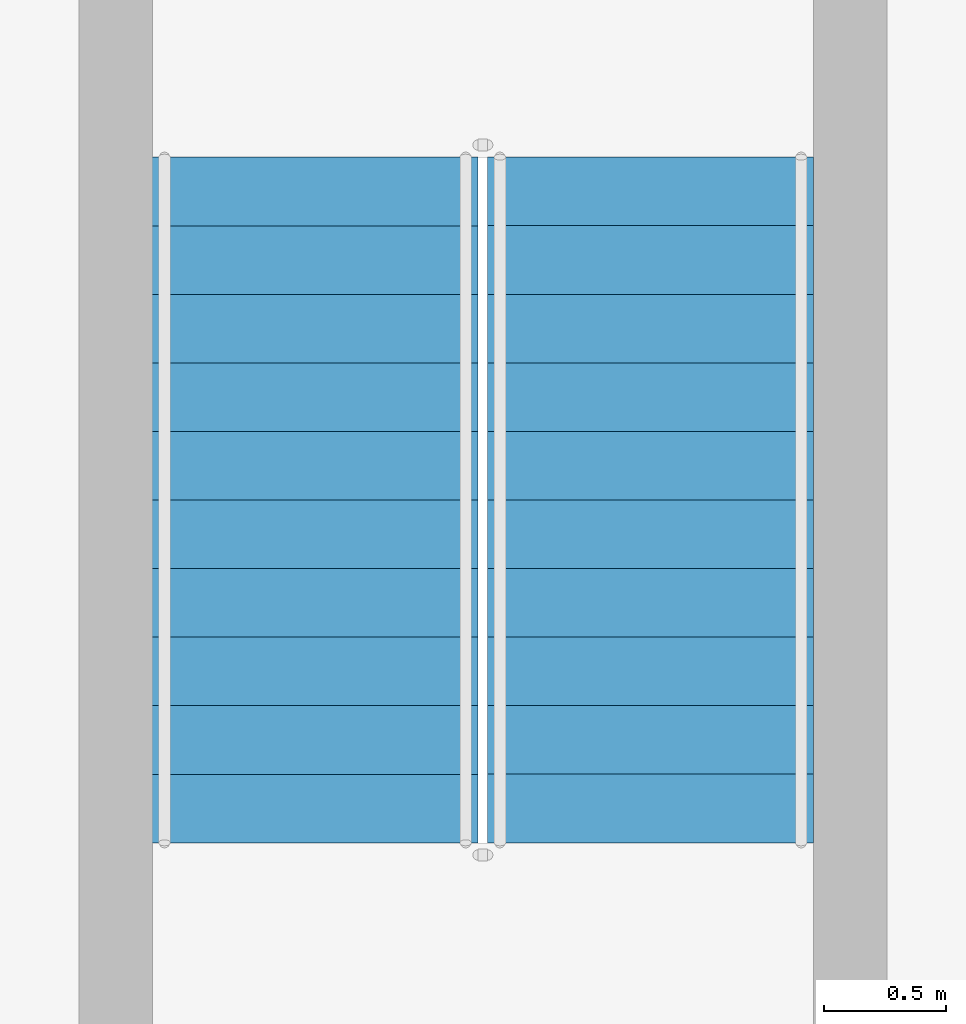
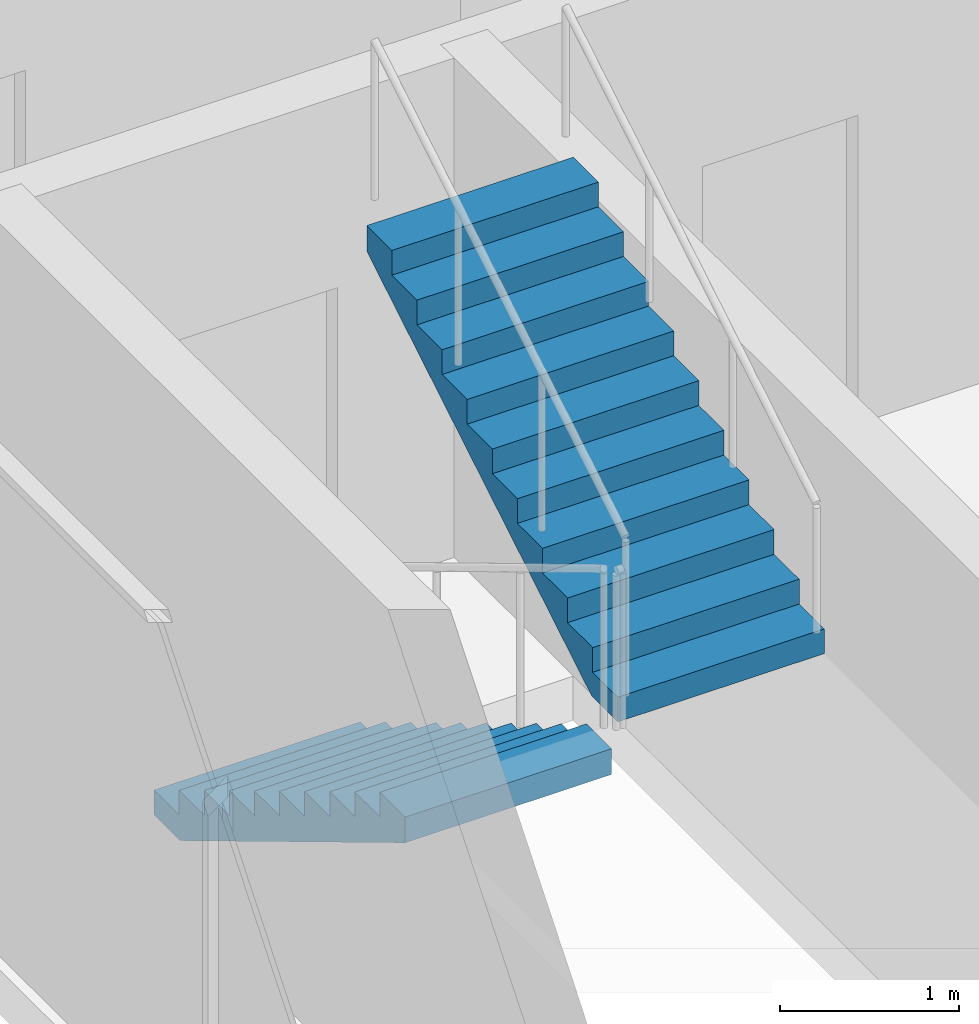
# One storey, part 15 of 23: 2 stair flights, 1 element without a shape of its own.
"""IFC4 building model written with IfcOpenShell, lengths in metres."""

from ifc_helpers import new_model, si_unit, direction, frame, origin, place, context, subcontext, project, spatial, triangles, source, transform, mapped, material, type_object, element, aggregate, save


model = new_model("IFC4")

# Units and contexts
model_context = context("Model", 3, precision=1e-05, world=origin(), true_north=direction((0.0, 1.0)))
body_context = subcontext(model_context, "Body", "Model", "MODEL_VIEW")
ifc_project = project(units=[si_unit("LENGTHUNIT", "METRE"), si_unit("AREAUNIT", "SQUARE_METRE"), si_unit("VOLUMEUNIT", "CUBIC_METRE"), si_unit("PLANEANGLEUNIT", "RADIAN"), si_unit("MASSUNIT", "GRAM", prefix="KILO")], contexts=[model_context])

# Site, building, storey
site_placement = place(None, origin())
site = spatial("IfcSite", under=ifc_project, at=site_placement, CompositionType="ELEMENT")
building_placement = place(site_placement, origin())
building = spatial("IfcBuilding", under=site, at=building_placement, Name="Ogive Portal Towers", CompositionType="ELEMENT")
storey_placement = place(building_placement, frame((0.0, 0.0, 149.60009765625)))
storey = spatial("IfcBuildingStorey", under=building, at=storey_placement, Name="L36", CompositionType="ELEMENT", Elevation=149.60009765625)

# Stair, stair flights
ifc_material = material(Name="Concrete C40/50", Category="concrete")
stair_type = type_object("IfcStairType", Name="INT-STAIR", PredefinedType="HALF_TURN_STAIR", material=ifc_material)
stair_placement = place(storey_placement, origin())
stair = element("IfcStair", 1, at=stair_placement, inside=storey, type_object=stair_type, Name="L36 Exit Stair ST-A4", PredefinedType="HALF_TURN_STAIR")
stair_flight_type = type_object("IfcStairFlightType", Name="INT-FLIGHT", PredefinedType="STRAIGHT", material=ifc_material)
shared_shape = source(origin(), body_context, "Body", "Tessellation", [
    triangles([(0.0, -0.6650390625, 0.0), (0.0, -0.384765625, 0.0), (0.0, -0.197021484375, 0.0), (0.0, -0.0830078125, 0.0), (0.0, -0.024658203125, 0.0), (0.0, -0.003173828125, 0.0), (0.0, 0.0, 0.0), (0.0, 0.003173828125, 0.0), (0.0, 0.024658203125, 0.0), (0.0, 0.0830078125, 0.0), (0.0, 0.197021484375, 0.0), (0.0, 0.384765625, 0.0), (0.0, 0.6650390625, 0.0), (0.0, -0.6650390625, 0.168212890625), (0.0, -0.384765625, 0.168212890625), (0.0, -0.197021484375, 0.168212890625), (0.0, -0.0830078125, 0.168212890625), (0.0, -0.024658203125, 0.168212890625), (0.0, -0.003173828125, 0.168212890625), (0.0, 0.0, 0.168212890625), (0.0, 0.003173828125, 0.168212890625), (0.0, 0.024658203125, 0.168212890625), (0.0, 0.0830078125, 0.168212890625), (0.0, 0.197021484375, 0.168212890625), (0.0, 0.384765625, 0.168212890625), (0.0, 0.6650390625, 0.168212890625), (0.280029296875, -0.6650390625, 0.168212890625), (0.280029296875, -0.384765625, 0.168212890625), (0.280029296875, -0.197021484375, 0.168212890625), (0.280029296875, -0.0830078125, 0.168212890625), (0.280029296875, -0.024658203125, 0.168212890625), (0.280029296875, -0.003173828125, 0.168212890625), (0.280029296875, 0.0, 0.168212890625), (0.280029296875, 0.003173828125, 0.168212890625), (0.280029296875, 0.024658203125, 0.168212890625), (0.280029296875, 0.0830078125, 0.168212890625), (0.280029296875, 0.197021484375, 0.168212890625), (0.280029296875, 0.384765625, 0.168212890625), (0.280029296875, 0.6650390625, 0.168212890625), (0.280029296875, -0.6650390625, 0.33642578125), (0.280029296875, -0.384765625, 0.33642578125), (0.280029296875, -0.197021484375, 0.33642578125), (0.280029296875, -0.0830078125, 0.33642578125), (0.280029296875, -0.024658203125, 0.33642578125), (0.280029296875, -0.003173828125, 0.33642578125), (0.280029296875, 0.0, 0.33642578125), (0.280029296875, 0.003173828125, 0.33642578125), (0.280029296875, 0.024658203125, 0.33642578125), (0.280029296875, 0.0830078125, 0.33642578125), (0.280029296875, 0.197021484375, 0.33642578125), (0.280029296875, 0.384765625, 0.33642578125), (0.280029296875, 0.6650390625, 0.33642578125), (0.56005859375, -0.6650390625, 0.33642578125), (0.56005859375, -0.384765625, 0.33642578125), (0.56005859375, -0.197021484375, 0.33642578125), (0.56005859375, -0.0830078125, 0.33642578125), (0.56005859375, -0.024658203125, 0.33642578125), (0.56005859375, -0.003173828125, 0.33642578125), (0.56005859375, 0.0, 0.33642578125), (0.56005859375, 0.003173828125, 0.33642578125), (0.56005859375, 0.024658203125, 0.33642578125), (0.56005859375, 0.0830078125, 0.33642578125), (0.56005859375, 0.197021484375, 0.33642578125), (0.56005859375, 0.384765625, 0.33642578125), (0.56005859375, 0.6650390625, 0.33642578125), (0.56005859375, -0.6650390625, 0.504638671875), (0.56005859375, -0.384765625, 0.504638671875), (0.56005859375, -0.197021484375, 0.504638671875), (0.56005859375, -0.0830078125, 0.504638671875), (0.56005859375, -0.024658203125, 0.504638671875), (0.56005859375, -0.003173828125, 0.504638671875), (0.56005859375, 0.0, 0.504638671875), (0.56005859375, 0.003173828125, 0.504638671875), (0.56005859375, 0.024658203125, 0.504638671875), (0.56005859375, 0.0830078125, 0.504638671875), (0.56005859375, 0.197021484375, 0.504638671875), (0.56005859375, 0.384765625, 0.504638671875), (0.56005859375, 0.6650390625, 0.504638671875), (0.840087890625, -0.6650390625, 0.504638671875), (0.840087890625, -0.384765625, 0.504638671875), (0.840087890625, -0.197021484375, 0.504638671875), (0.840087890625, -0.0830078125, 0.504638671875), (0.840087890625, -0.024658203125, 0.504638671875), (0.840087890625, -0.003173828125, 0.504638671875), (0.840087890625, 0.0, 0.504638671875), (0.840087890625, 0.003173828125, 0.504638671875), (0.840087890625, 0.024658203125, 0.504638671875), (0.840087890625, 0.0830078125, 0.504638671875), (0.840087890625, 0.197021484375, 0.504638671875), (0.840087890625, 0.384765625, 0.504638671875), (0.840087890625, 0.6650390625, 0.504638671875), (0.840087890625, -0.6650390625, 0.672607421875), (0.840087890625, -0.384765625, 0.672607421875), (0.840087890625, -0.197021484375, 0.672607421875), (0.840087890625, -0.0830078125, 0.672607421875), (0.840087890625, -0.024658203125, 0.672607421875), (0.840087890625, -0.003173828125, 0.672607421875), (0.840087890625, 0.0, 0.672607421875), (0.840087890625, 0.003173828125, 0.672607421875), (0.840087890625, 0.024658203125, 0.672607421875), (0.840087890625, 0.0830078125, 0.672607421875), (0.840087890625, 0.197021484375, 0.672607421875), (0.840087890625, 0.384765625, 0.672607421875), (0.840087890625, 0.6650390625, 0.672607421875), (1.1201171875, -0.6650390625, 0.672607421875), (1.1201171875, -0.384765625, 0.672607421875), (1.1201171875, -0.197021484375, 0.672607421875), (1.1201171875, -0.0830078125, 0.672607421875), (1.1201171875, -0.024658203125, 0.672607421875), (1.1201171875, -0.003173828125, 0.672607421875), (1.1201171875, 0.0, 0.672607421875), (1.1201171875, 0.003173828125, 0.672607421875), (1.1201171875, 0.024658203125, 0.672607421875), (1.1201171875, 0.0830078125, 0.672607421875), (1.1201171875, 0.197021484375, 0.672607421875), (1.1201171875, 0.384765625, 0.672607421875), (1.1201171875, 0.6650390625, 0.672607421875), (1.1201171875, -0.6650390625, 0.8408203125), (1.1201171875, -0.384765625, 0.8408203125), (1.1201171875, -0.197021484375, 0.8408203125), (1.1201171875, -0.0830078125, 0.8408203125), (1.1201171875, -0.024658203125, 0.8408203125), (1.1201171875, -0.003173828125, 0.8408203125), (1.1201171875, 0.0, 0.8408203125), (1.1201171875, 0.003173828125, 0.8408203125), (1.1201171875, 0.024658203125, 0.8408203125), (1.1201171875, 0.0830078125, 0.8408203125), (1.1201171875, 0.197021484375, 0.8408203125), (1.1201171875, 0.384765625, 0.8408203125), (1.1201171875, 0.6650390625, 0.8408203125), (1.39990234375, -0.6650390625, 0.8408203125), (1.39990234375, -0.384765625, 0.8408203125), (1.39990234375, -0.197021484375, 0.8408203125), (1.39990234375, -0.0830078125, 0.8408203125), (1.39990234375, -0.024658203125, 0.8408203125), (1.39990234375, -0.003173828125, 0.8408203125), (1.39990234375, 0.0, 0.8408203125), (1.39990234375, 0.003173828125, 0.8408203125), (1.39990234375, 0.024658203125, 0.8408203125), (1.39990234375, 0.0830078125, 0.8408203125), (1.39990234375, 0.197021484375, 0.8408203125), (1.39990234375, 0.384765625, 0.8408203125), (1.39990234375, 0.6650390625, 0.8408203125), (1.39990234375, -0.6650390625, 1.009033203125), (1.39990234375, -0.384765625, 1.009033203125), (1.39990234375, -0.197021484375, 1.009033203125), (1.39990234375, -0.0830078125, 1.009033203125), (1.39990234375, -0.024658203125, 1.009033203125), (1.39990234375, -0.003173828125, 1.009033203125), (1.39990234375, 0.0, 1.009033203125), (1.39990234375, 0.003173828125, 1.009033203125), (1.39990234375, 0.024658203125, 1.009033203125), (1.39990234375, 0.0830078125, 1.009033203125), (1.39990234375, 0.197021484375, 1.009033203125), (1.39990234375, 0.384765625, 1.009033203125), (1.39990234375, 0.6650390625, 1.009033203125), (1.679931640625, -0.6650390625, 1.009033203125), (1.679931640625, -0.384765625, 1.009033203125), (1.679931640625, -0.197021484375, 1.009033203125), (1.679931640625, -0.0830078125, 1.009033203125), (1.679931640625, -0.024658203125, 1.009033203125), (1.679931640625, -0.003173828125, 1.009033203125), (1.679931640625, 0.0, 1.009033203125), (1.679931640625, 0.003173828125, 1.009033203125), (1.679931640625, 0.024658203125, 1.009033203125), (1.679931640625, 0.0830078125, 1.009033203125), (1.679931640625, 0.197021484375, 1.009033203125), (1.679931640625, 0.384765625, 1.009033203125), (1.679931640625, 0.6650390625, 1.009033203125), (1.679931640625, -0.6650390625, 1.17724609375), (1.679931640625, -0.384765625, 1.17724609375), (1.679931640625, -0.197021484375, 1.17724609375), (1.679931640625, -0.0830078125, 1.17724609375), (1.679931640625, -0.024658203125, 1.17724609375), (1.679931640625, -0.003173828125, 1.17724609375), (1.679931640625, 0.0, 1.17724609375), (1.679931640625, 0.003173828125, 1.17724609375), (1.679931640625, 0.024658203125, 1.17724609375), (1.679931640625, 0.0830078125, 1.17724609375), (1.679931640625, 0.197021484375, 1.17724609375), (1.679931640625, 0.384765625, 1.17724609375), (1.679931640625, 0.6650390625, 1.17724609375), (1.9599609375, -0.6650390625, 1.17724609375), (1.9599609375, -0.384765625, 1.17724609375), (1.9599609375, -0.197021484375, 1.17724609375), (1.9599609375, -0.0830078125, 1.17724609375), (1.9599609375, -0.024658203125, 1.17724609375), (1.9599609375, -0.003173828125, 1.17724609375), (1.9599609375, 0.0, 1.17724609375), (1.9599609375, 0.003173828125, 1.17724609375), (1.9599609375, 0.024658203125, 1.17724609375), (1.9599609375, 0.0830078125, 1.17724609375), (1.9599609375, 0.197021484375, 1.17724609375), (1.9599609375, 0.384765625, 1.17724609375), (1.9599609375, 0.6650390625, 1.17724609375), (1.9599609375, -0.6650390625, 1.345458984375), (1.9599609375, -0.384765625, 1.345458984375), (1.9599609375, -0.197021484375, 1.345458984375), (1.9599609375, -0.0830078125, 1.345458984375), (1.9599609375, -0.024658203125, 1.345458984375), (1.9599609375, -0.003173828125, 1.345458984375), (1.9599609375, 0.0, 1.345458984375), (1.9599609375, 0.003173828125, 1.345458984375), (1.9599609375, 0.024658203125, 1.345458984375), (1.9599609375, 0.0830078125, 1.345458984375), (1.9599609375, 0.197021484375, 1.345458984375), (1.9599609375, 0.384765625, 1.345458984375), (1.9599609375, 0.6650390625, 1.345458984375), (2.239990234375, -0.6650390625, 1.345458984375), (2.239990234375, -0.384765625, 1.345458984375), (2.239990234375, -0.197021484375, 1.345458984375), (2.239990234375, -0.0830078125, 1.345458984375), (2.239990234375, -0.024658203125, 1.345458984375), (2.239990234375, -0.003173828125, 1.345458984375), (2.239990234375, 0.0, 1.345458984375), (2.239990234375, 0.003173828125, 1.345458984375), (2.239990234375, 0.024658203125, 1.345458984375), (2.239990234375, 0.0830078125, 1.345458984375), (2.239990234375, 0.197021484375, 1.345458984375), (2.239990234375, 0.384765625, 1.345458984375), (2.239990234375, 0.6650390625, 1.345458984375), (2.239990234375, -0.6650390625, 1.513671875), (2.239990234375, -0.384765625, 1.513671875), (2.239990234375, -0.197021484375, 1.513671875), (2.239990234375, -0.0830078125, 1.513671875), (2.239990234375, -0.024658203125, 1.513671875), (2.239990234375, -0.003173828125, 1.513671875), (2.239990234375, 0.0, 1.513671875), (2.239990234375, 0.003173828125, 1.513671875), (2.239990234375, 0.024658203125, 1.513671875), (2.239990234375, 0.0830078125, 1.513671875), (2.239990234375, 0.197021484375, 1.513671875), (2.239990234375, 0.384765625, 1.513671875), (2.239990234375, 0.6650390625, 1.513671875), (2.52001953125, -0.6650390625, 1.513671875), (2.52001953125, -0.384765625, 1.513671875), (2.52001953125, -0.197021484375, 1.513671875), (2.52001953125, -0.0830078125, 1.513671875), (2.52001953125, -0.024658203125, 1.513671875), (2.52001953125, -0.003173828125, 1.513671875), (2.52001953125, 0.0, 1.513671875), (2.52001953125, 0.003173828125, 1.513671875), (2.52001953125, 0.024658203125, 1.513671875), (2.52001953125, 0.0830078125, 1.513671875), (2.52001953125, 0.197021484375, 1.513671875), (2.52001953125, 0.384765625, 1.513671875), (2.52001953125, 0.6650390625, 1.513671875), (2.52001953125, -0.6650390625, 1.681884765625), (2.52001953125, -0.384765625, 1.681884765625), (2.52001953125, -0.197021484375, 1.681884765625), (2.52001953125, -0.0830078125, 1.681884765625), (2.52001953125, -0.024658203125, 1.681884765625), (2.52001953125, -0.003173828125, 1.681884765625), (2.52001953125, 0.0, 1.681884765625), (2.52001953125, 0.003173828125, 1.681884765625), (2.52001953125, 0.024658203125, 1.681884765625), (2.52001953125, 0.0830078125, 1.681884765625), (2.52001953125, 0.197021484375, 1.681884765625), (2.52001953125, 0.384765625, 1.681884765625), (2.52001953125, 0.6650390625, 1.681884765625), (2.800048828125, -0.6650390625, 1.681884765625), (2.800048828125, -0.384765625, 1.681884765625), (2.800048828125, -0.197021484375, 1.681884765625), (2.800048828125, -0.0830078125, 1.681884765625), (2.800048828125, -0.024658203125, 1.681884765625), (2.800048828125, -0.003173828125, 1.681884765625), (2.800048828125, 0.0, 1.681884765625), (2.800048828125, 0.003173828125, 1.681884765625), (2.800048828125, 0.024658203125, 1.681884765625), (2.800048828125, 0.0830078125, 1.681884765625), (2.800048828125, 0.197021484375, 1.681884765625), (2.800048828125, 0.384765625, 1.681884765625), (2.800048828125, 0.6650390625, 1.681884765625), (2.800048828125, -0.6650390625, 1.5068359375), (2.800048828125, -0.384765625, 1.5068359375), (2.800048828125, -0.197021484375, 1.5068359375), (2.800048828125, -0.0830078125, 1.5068359375), (2.800048828125, -0.024658203125, 1.5068359375), (2.800048828125, -0.003173828125, 1.5068359375), (2.800048828125, 0.0, 1.5068359375), (2.800048828125, 0.003173828125, 1.5068359375), (2.800048828125, 0.024658203125, 1.5068359375), (2.800048828125, 0.0830078125, 1.5068359375), (2.800048828125, 0.197021484375, 1.5068359375), (2.800048828125, 0.384765625, 1.5068359375), (2.800048828125, 0.6650390625, 1.5068359375), (0.291015625, -0.6650390625, 0.0), (0.291015625, -0.384765625, 0.0), (0.291015625, -0.197021484375, 0.0), (0.291015625, -0.0830078125, 0.0), (0.291015625, -0.024658203125, 0.0), (0.291015625, -0.003173828125, 0.0), (0.291015625, 0.0, 0.0), (0.291015625, 0.003173828125, 0.0), (0.291015625, 0.024658203125, 0.0), (0.291015625, 0.0830078125, 0.0), (0.291015625, 0.197021484375, 0.0), (0.291015625, 0.384765625, 0.0), (0.291015625, 0.6650390625, 0.0)], [[1, 14, 15], [1, 15, 2], [2, 15, 16], [2, 16, 3], [3, 16, 17], [3, 17, 4], [4, 17, 18], [4, 18, 5], [5, 18, 19], [5, 19, 6], [6, 19, 20], [6, 20, 7], [7, 20, 21], [7, 21, 8], [8, 21, 22], [8, 22, 9], [9, 22, 23], [9, 23, 10], [10, 23, 24], [10, 24, 11], [11, 24, 25], [11, 25, 12], [12, 25, 26], [12, 26, 13], [14, 27, 28], [14, 28, 15], [15, 28, 29], [15, 29, 16], [16, 29, 30], [16, 30, 17], [17, 30, 31], [17, 31, 18], [18, 31, 32], [18, 32, 19], [19, 32, 33], [19, 33, 20], [20, 33, 34], [20, 34, 21], [21, 34, 35], [21, 35, 22], [22, 35, 36], [22, 36, 23], [23, 36, 37], [23, 37, 24], [24, 37, 38], [24, 38, 25], [25, 38, 39], [25, 39, 26], [27, 40, 41], [27, 41, 28], [28, 41, 42], [28, 42, 29], [29, 42, 43], [29, 43, 30], [30, 43, 44], [30, 44, 31], [31, 44, 45], [31, 45, 32], [32, 45, 46], [32, 46, 33], [33, 46, 47], [33, 47, 34], [34, 47, 48], [34, 48, 35], [35, 48, 49], [35, 49, 36], [36, 49, 50], [36, 50, 37], [37, 50, 51], [37, 51, 38], [38, 51, 52], [38, 52, 39], [40, 53, 54], [40, 54, 41], [41, 54, 55], [41, 55, 42], [42, 55, 56], [42, 56, 43], [43, 56, 57], [43, 57, 44], [44, 57, 58], [44, 58, 45], [45, 58, 59], [45, 59, 46], [46, 59, 60], [46, 60, 47], [47, 60, 61], [47, 61, 48], [48, 61, 62], [48, 62, 49], [49, 62, 63], [49, 63, 50], [50, 63, 64], [50, 64, 51], [51, 64, 65], [51, 65, 52], [53, 66, 67], [53, 67, 54], [54, 67, 68], [54, 68, 55], [55, 68, 69], [55, 69, 56], [56, 69, 70], [56, 70, 57], [57, 70, 71], [57, 71, 58], [58, 71, 72], [58, 72, 59], [59, 72, 73], [59, 73, 60], [60, 73, 74], [60, 74, 61], [61, 74, 75], [61, 75, 62], [62, 75, 76], [62, 76, 63], [63, 76, 77], [63, 77, 64], [64, 77, 78], [64, 78, 65], [66, 79, 80], [66, 80, 67], [67, 80, 81], [67, 81, 68], [68, 81, 82], [68, 82, 69], [69, 82, 83], [69, 83, 70], [70, 83, 84], [70, 84, 71], [71, 84, 85], [71, 85, 72], [72, 85, 86], [72, 86, 73], [73, 86, 87], [73, 87, 74], [74, 87, 88], [74, 88, 75], [75, 88, 89], [75, 89, 76], [76, 89, 90], [76, 90, 77], [77, 90, 91], [77, 91, 78], [79, 92, 93], [79, 93, 80], [80, 93, 94], [80, 94, 81], [81, 94, 95], [81, 95, 82], [82, 95, 96], [82, 96, 83], [83, 96, 97], [83, 97, 84], [84, 97, 98], [84, 98, 85], [85, 98, 99], [85, 99, 86], [86, 99, 100], [86, 100, 87], [87, 100, 101], [87, 101, 88], [88, 101, 102], [88, 102, 89], [89, 102, 103], [89, 103, 90], [90, 103, 104], [90, 104, 91], [92, 105, 106], [92, 106, 93], [93, 106, 107], [93, 107, 94], [94, 107, 108], [94, 108, 95], [95, 108, 109], [95, 109, 96], [96, 109, 110], [96, 110, 97], [97, 110, 111], [97, 111, 98], [98, 111, 112], [98, 112, 99], [99, 112, 113], [99, 113, 100], [100, 113, 114], [100, 114, 101], [101, 114, 115], [101, 115, 102], [102, 115, 116], [102, 116, 103], [103, 116, 117], [103, 117, 104], [105, 118, 119], [105, 119, 106], [106, 119, 120], [106, 120, 107], [107, 120, 121], [107, 121, 108], [108, 121, 122], [108, 122, 109], [109, 122, 123], [109, 123, 110], [110, 123, 124], [110, 124, 111], [111, 124, 125], [111, 125, 112], [112, 125, 126], [112, 126, 113], [113, 126, 127], [113, 127, 114], [114, 127, 128], [114, 128, 115], [115, 128, 129], [115, 129, 116], [116, 129, 130], [116, 130, 117], [118, 131, 132], [118, 132, 119], [119, 132, 133], [119, 133, 120], [120, 133, 134], [120, 134, 121], [121, 134, 135], [121, 135, 122], [122, 135, 136], [122, 136, 123], [123, 136, 137], [123, 137, 124], [124, 137, 138], [124, 138, 125], [125, 138, 139], [125, 139, 126], [126, 139, 140], [126, 140, 127], [127, 140, 141], [127, 141, 128], [128, 141, 142], [128, 142, 129], [129, 142, 143], [129, 143, 130], [131, 144, 145], [131, 145, 132], [132, 145, 146], [132, 146, 133], [133, 146, 147], [133, 147, 134], [134, 147, 148], [134, 148, 135], [135, 148, 149], [135, 149, 136], [136, 149, 150], [136, 150, 137], [137, 150, 151], [137, 151, 138], [138, 151, 152], [138, 152, 139], [139, 152, 153], [139, 153, 140], [140, 153, 154], [140, 154, 141], [141, 154, 155], [141, 155, 142], [142, 155, 156], [142, 156, 143], [144, 157, 158], [144, 158, 145], [145, 158, 159], [145, 159, 146], [146, 159, 160], [146, 160, 147], [147, 160, 161], [147, 161, 148], [148, 161, 162], [148, 162, 149], [149, 162, 163], [149, 163, 150], [150, 163, 164], [150, 164, 151], [151, 164, 165], [151, 165, 152], [152, 165, 166], [152, 166, 153], [153, 166, 167], [153, 167, 154], [154, 167, 168], [154, 168, 155], [155, 168, 169], [155, 169, 156], [157, 170, 171], [157, 171, 158], [158, 171, 172], [158, 172, 159], [159, 172, 173], [159, 173, 160], [160, 173, 174], [160, 174, 161], [161, 174, 175], [161, 175, 162], [162, 175, 176], [162, 176, 163], [163, 176, 177], [163, 177, 164], [164, 177, 178], [164, 178, 165], [165, 178, 179], [165, 179, 166], [166, 179, 180], [166, 180, 167], [167, 180, 181], [167, 181, 168], [168, 181, 182], [168, 182, 169], [170, 183, 184], [170, 184, 171], [171, 184, 185], [171, 185, 172], [172, 185, 186], [172, 186, 173], [173, 186, 187], [173, 187, 174], [174, 187, 188], [174, 188, 175], [175, 188, 189], [175, 189, 176], [176, 189, 190], [176, 190, 177], [177, 190, 191], [177, 191, 178], [178, 191, 192], [178, 192, 179], [179, 192, 193], [179, 193, 180], [180, 193, 194], [180, 194, 181], [181, 194, 195], [181, 195, 182], [183, 196, 197], [183, 197, 184], [184, 197, 198], [184, 198, 185], [185, 198, 199], [185, 199, 186], [186, 199, 200], [186, 200, 187], [187, 200, 201], [187, 201, 188], [188, 201, 202], [188, 202, 189], [189, 202, 203], [189, 203, 190], [190, 203, 204], [190, 204, 191], [191, 204, 205], [191, 205, 192], [192, 205, 206], [192, 206, 193], [193, 206, 207], [193, 207, 194], [194, 207, 208], [194, 208, 195], [196, 209, 210], [196, 210, 197], [197, 210, 211], [197, 211, 198], [198, 211, 212], [198, 212, 199], [199, 212, 213], [199, 213, 200], [200, 213, 214], [200, 214, 201], [201, 214, 215], [201, 215, 202], [202, 215, 216], [202, 216, 203], [203, 216, 217], [203, 217, 204], [204, 217, 218], [204, 218, 205], [205, 218, 219], [205, 219, 206], [206, 219, 220], [206, 220, 207], [207, 220, 221], [207, 221, 208], [209, 222, 223], [209, 223, 210], [210, 223, 224], [210, 224, 211], [211, 224, 225], [211, 225, 212], [212, 225, 226], [212, 226, 213], [213, 226, 227], [213, 227, 214], [214, 227, 228], [214, 228, 215], [215, 228, 229], [215, 229, 216], [216, 229, 230], [216, 230, 217], [217, 230, 231], [217, 231, 218], [218, 231, 232], [218, 232, 219], [219, 232, 233], [219, 233, 220], [220, 233, 234], [220, 234, 221], [222, 235, 236], [222, 236, 223], [223, 236, 237], [223, 237, 224], [224, 237, 238], [224, 238, 225], [225, 238, 239], [225, 239, 226], [226, 239, 240], [226, 240, 227], [227, 240, 241], [227, 241, 228], [228, 241, 242], [228, 242, 229], [229, 242, 243], [229, 243, 230], [230, 243, 244], [230, 244, 231], [231, 244, 245], [231, 245, 232], [232, 245, 246], [232, 246, 233], [233, 246, 247], [233, 247, 234], [235, 248, 249], [235, 249, 236], [236, 249, 250], [236, 250, 237], [237, 250, 251], [237, 251, 238], [238, 251, 252], [238, 252, 239], [239, 252, 253], [239, 253, 240], [240, 253, 254], [240, 254, 241], [241, 254, 255], [241, 255, 242], [242, 255, 256], [242, 256, 243], [243, 256, 257], [243, 257, 244], [244, 257, 258], [244, 258, 245], [245, 258, 259], [245, 259, 246], [246, 259, 260], [246, 260, 247], [248, 261, 262], [248, 262, 249], [249, 262, 263], [249, 263, 250], [250, 263, 264], [250, 264, 251], [251, 264, 265], [251, 265, 252], [252, 265, 266], [252, 266, 253], [253, 266, 267], [253, 267, 254], [254, 267, 268], [254, 268, 255], [255, 268, 269], [255, 269, 256], [256, 269, 270], [256, 270, 257], [257, 270, 271], [257, 271, 258], [258, 271, 272], [258, 272, 259], [259, 272, 273], [259, 273, 260], [261, 274, 275], [261, 275, 262], [262, 275, 276], [262, 276, 263], [263, 276, 277], [263, 277, 264], [264, 277, 278], [264, 278, 265], [265, 278, 279], [265, 279, 266], [266, 279, 280], [266, 280, 267], [267, 280, 281], [267, 281, 268], [268, 281, 282], [268, 282, 269], [269, 282, 283], [269, 283, 270], [270, 283, 284], [270, 284, 271], [271, 284, 285], [271, 285, 272], [272, 285, 286], [272, 286, 273], [274, 287, 288], [274, 288, 275], [275, 288, 289], [275, 289, 276], [276, 289, 290], [276, 290, 277], [277, 290, 291], [277, 291, 278], [278, 291, 292], [278, 292, 279], [279, 292, 293], [279, 293, 280], [280, 293, 294], [280, 294, 281], [281, 294, 295], [281, 295, 282], [282, 295, 296], [282, 296, 283], [283, 296, 297], [283, 297, 284], [284, 297, 298], [284, 298, 285], [285, 298, 299], [285, 299, 286], [287, 1, 2], [287, 2, 288], [288, 2, 3], [288, 3, 289], [289, 3, 4], [289, 4, 290], [290, 4, 5], [290, 5, 291], [291, 5, 6], [291, 6, 292], [292, 6, 7], [292, 7, 293], [293, 7, 8], [293, 8, 294], [294, 8, 9], [294, 9, 295], [295, 9, 10], [295, 10, 296], [296, 10, 11], [296, 11, 297], [297, 11, 12], [297, 12, 298], [298, 12, 13], [298, 13, 299], [1, 287, 274], [13, 286, 299], [274, 261, 248], [286, 260, 273], [274, 248, 235], [286, 247, 260], [274, 235, 222], [286, 234, 247], [274, 222, 209], [286, 221, 234], [209, 196, 183], [221, 195, 208], [274, 209, 183], [286, 195, 221], [183, 170, 157], [195, 169, 182], [274, 183, 157], [286, 169, 195], [157, 144, 131], [169, 143, 156], [274, 157, 131], [286, 143, 169], [131, 118, 105], [143, 117, 130], [274, 131, 105], [286, 117, 143], [1, 274, 105], [13, 117, 286], [105, 92, 79], [117, 91, 104], [79, 66, 53], [91, 65, 78], [105, 79, 53], [117, 65, 91], [53, 40, 27], [65, 39, 52], [105, 53, 27], [117, 39, 65], [1, 105, 27], [13, 39, 117], [27, 14, 1], [39, 13, 26]], closed=True),
])
stair_flight_1_placement = place(storey_placement, frame((87.6650390625, 29.169921875, 0.0), z_axis=(0.0, 0.0, 1.0), x_axis=(0.0, -1.0, 0.0)))
stair_flight_1 = element("IfcStairFlight", 2, at=stair_flight_1_placement, type_object=stair_flight_type, Name="ST-A4 flight 1", NumberOfRisers=11, NumberOfTreads=10, PredefinedType="STRAIGHT", RiserHeight=0.168181818, TreadLength=0.28, context=body_context, shape_type="MappedRepresentation", body=[
    mapped(shared_shape, transform((0.0, 0.0, 0.0), scale=1.0)),
])
stair_flight_2_placement = place(storey_placement, frame((89.034912109375, 26.3701171875, 1.849853515625), z_axis=(0.0, 0.0, 1.0), x_axis=(0.0, 1.0, 0.0)))
stair_flight_2 = element("IfcStairFlight", 3, at=stair_flight_2_placement, type_object=stair_flight_type, Name="ST-A4 flight 2", NumberOfRisers=11, NumberOfTreads=10, PredefinedType="STRAIGHT", RiserHeight=0.168181818, TreadLength=0.28, context=body_context, shape_type="MappedRepresentation", body=[
    mapped(shared_shape, transform((0.0, 0.0, 0.0), scale=1.0)),
])
aggregate(stair, [stair_flight_1, stair_flight_2])

save(model, "model.ifc")
